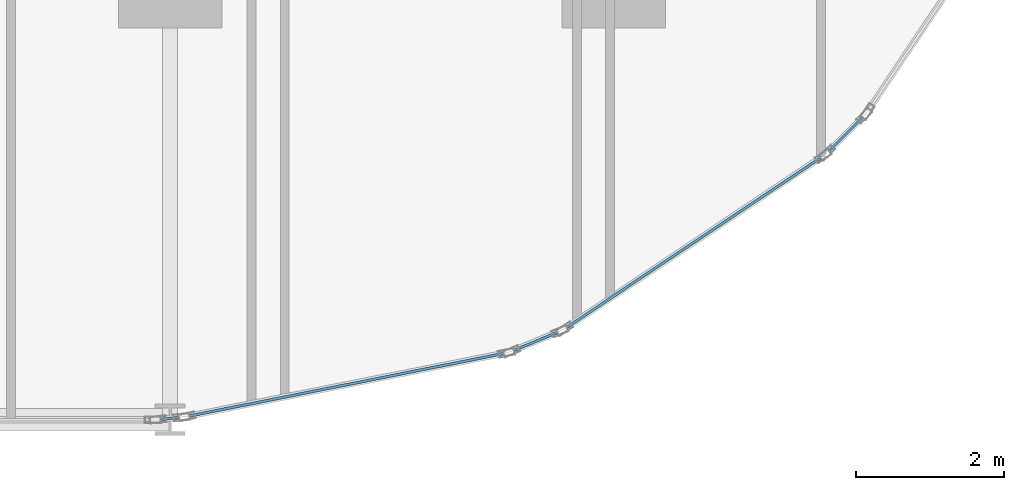
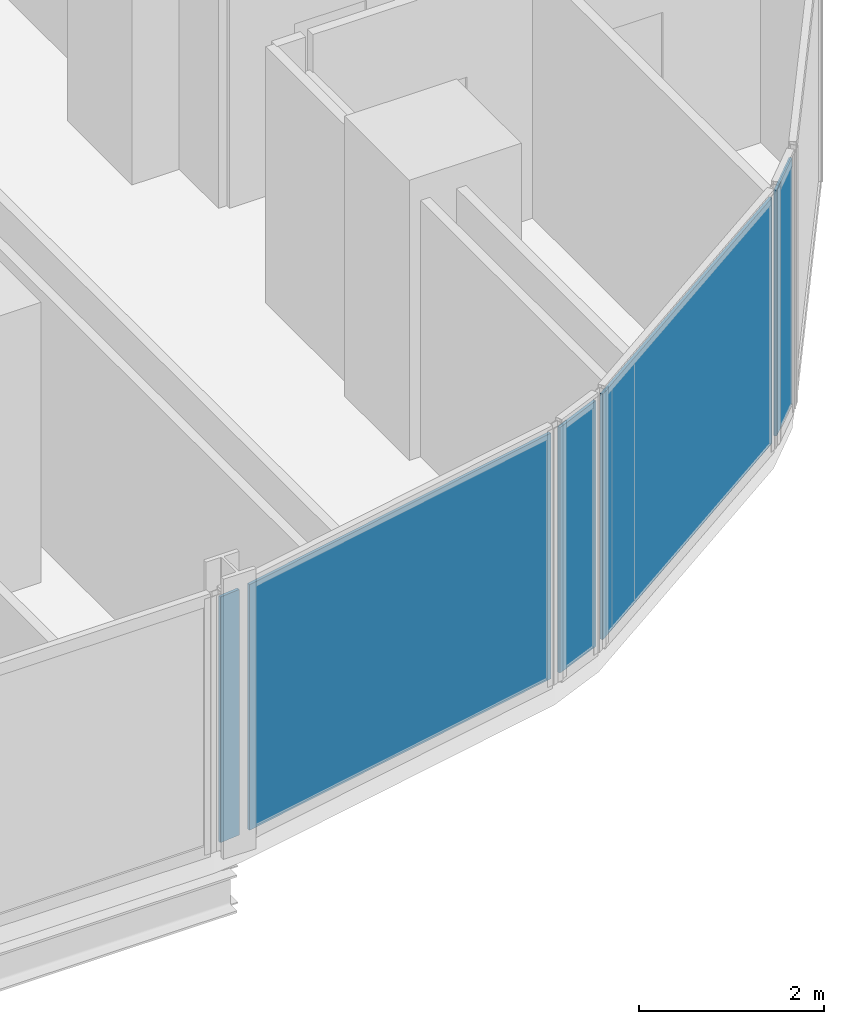
# One storey, part 22 of 34: 5 plates, 5 elements without a shape of their own.
"""IFC4 building model written with IfcOpenShell, lengths in metres."""

from ifc_helpers import new_model, si_unit, direction, frame, origin, origin_2d, place, context, subcontext, project, spatial, rectangle, extrude, material, layer, layer_set, type_object, element, aggregate, save


model = new_model("IFC4")

# Units and contexts
model_context = context("Model", 3, precision=1e-05, world=origin(), true_north=direction((0.0, 1.0)))
body_context = subcontext(model_context, "Body", "Model", "MODEL_VIEW")
ifc_project = project(units=[si_unit("LENGTHUNIT", "METRE"), si_unit("AREAUNIT", "SQUARE_METRE"), si_unit("VOLUMEUNIT", "CUBIC_METRE"), si_unit("PLANEANGLEUNIT", "RADIAN"), si_unit("MASSUNIT", "GRAM", prefix="KILO")], contexts=[model_context])

# Site, building, storey
site_placement = place(None, origin())
site = spatial("IfcSite", under=ifc_project, at=site_placement, CompositionType="ELEMENT")
building_placement = place(site_placement, origin())
building = spatial("IfcBuilding", under=site, at=building_placement, Name="Keshet Zoharim Tower", CompositionType="ELEMENT")
storey_placement = place(building_placement, frame((0.0, 0.0, 38.800048828125)))
storey = spatial("IfcBuildingStorey", under=building, at=storey_placement, Name="L08", CompositionType="ELEMENT", Elevation=38.800048828125)

# Curtain wall, plate
ifc_material_1 = material(Name="Aluminium 6063-T6", Category="aluminium")
ifc_layer_1 = layer(ifc_material_1, 0.179931640625)
ifc_layer_set_1 = layer_set([ifc_layer_1], Name="Aluminium 6063-T6")
curtain_wall_type = type_object("IfcCurtainWallType", Name="CW-SYS-01", PredefinedType="NOTDEFINED", material=ifc_layer_set_1)
curtain_wall_1_placement = place(storey_placement, origin())
curtain_wall_1 = element("IfcCurtainWall", 1, at=curtain_wall_1_placement, inside=storey, type_object=curtain_wall_type, Name="L08 Unitised Curtain Wall 21", PredefinedType="NOTDEFINED")
ifc_material_2 = material(Name="Insulated Low-E Clear Glass", Category="glass")
ifc_layer_2 = layer(ifc_material_2, 0.035888671875)
ifc_layer_set_2 = layer_set([ifc_layer_2], Name="Insulated Low-E Clear Glass")
plate_type = type_object("IfcPlateType", Name="CWP-01", PredefinedType="CURTAIN_PANEL", material=ifc_layer_set_2)
plate_1_placement = place(storey_placement, frame((66.137451171875, 4.5625, 0.06982421875), z_axis=(0.0, 0.0, 1.0), x_axis=(-0.707106781187, -0.707106781187, 0.0)))
plate_1 = element("IfcPlate", 2, at=plate_1_placement, type_object=plate_type, Name="CW-01 panel 1.1", PredefinedType="CURTAIN_PANEL", context=body_context, shape_type="SweptSolid", body=[
    extrude(rectangle(XDim=0.63916015625, YDim=0.035888671875, at=origin_2d()), origin(), (0.0, 0.0, 1.0), 3.2451171875),
])
aggregate(curtain_wall_1, [plate_1])

curtain_wall_2_placement = place(storey_placement, origin())
curtain_wall_2 = element("IfcCurtainWall", 3, at=curtain_wall_2_placement, inside=storey, type_object=curtain_wall_type, Name="L08 Unitised Curtain Wall 22", PredefinedType="NOTDEFINED")
plate_2_placement = place(storey_placement, frame((64.083984375, 3.09912109375, 0.06982421875), z_axis=(0.0, 0.0, 1.0), x_axis=(-0.831474282335, -0.555563243758, 0.0)))
plate_2 = element("IfcPlate", 4, at=plate_2_placement, type_object=plate_type, Name="CW-01 panel 1.1", PredefinedType="CURTAIN_PANEL", context=body_context, shape_type="SweptSolid", body=[
    extrude(rectangle(XDim=4.13671875, YDim=0.035888671875, at=origin_2d()), origin(), (0.0, 0.0, 1.0), 3.2451171875),
])
aggregate(curtain_wall_2, [plate_2])

curtain_wall_3_placement = place(storey_placement, origin())
curtain_wall_3 = element("IfcCurtainWall", 5, at=curtain_wall_3_placement, inside=storey, type_object=curtain_wall_type, Name="L08 Unitised Curtain Wall 23", PredefinedType="NOTDEFINED")
plate_3_placement = place(storey_placement, frame((61.945556640625, 1.761474609375, 0.06982421875), z_axis=(0.0, 0.0, 1.0), x_axis=(-0.923720000557, -0.383068349739, 0.0)))
plate_3 = element("IfcPlate", 6, at=plate_3_placement, type_object=plate_type, Name="CW-01 panel 1.1", PredefinedType="CURTAIN_PANEL", context=body_context, shape_type="SweptSolid", body=[
    extrude(rectangle(XDim=0.640625, YDim=0.035888671875, at=origin_2d()), origin(), (0.0, 0.0, 1.0), 3.2451171875),
])
aggregate(curtain_wall_3, [plate_3])

curtain_wall_4_placement = place(storey_placement, origin())
curtain_wall_4 = element("IfcCurtainWall", 7, at=curtain_wall_4_placement, inside=storey, type_object=curtain_wall_type, Name="L08 Unitised Curtain Wall 24", PredefinedType="NOTDEFINED")
plate_4_placement = place(storey_placement, frame((59.388916015625, 1.175048828125, 0.06982421875), z_axis=(0.0, 0.0, 1.0), x_axis=(-0.98076917357, -0.195171279072, 0.0)))
plate_4 = element("IfcPlate", 8, at=plate_4_placement, type_object=plate_type, Name="CW-01 panel 1.1", PredefinedType="CURTAIN_PANEL", context=body_context, shape_type="SweptSolid", body=[
    extrude(rectangle(XDim=4.338134765625, YDim=0.035888671875, at=origin_2d()), origin(), (0.0, 0.0, 1.0), 3.2451171875),
])
aggregate(curtain_wall_4, [plate_4])

curtain_wall_5_placement = place(storey_placement, origin())
curtain_wall_5 = element("IfcCurtainWall", 9, at=curtain_wall_5_placement, inside=storey, type_object=curtain_wall_type, Name="L08 Unitised Curtain Wall 25", PredefinedType="NOTDEFINED")
plate_5_placement = place(storey_placement, frame((56.998046875, 0.718994140625, 0.06982421875), z_axis=(0.0, 0.0, 1.0), x_axis=(-0.995286657009, -0.096976648633, 0.0)))
plate_5 = element("IfcPlate", 10, at=plate_5_placement, type_object=plate_type, Name="CW-01 panel 1.1", PredefinedType="CURTAIN_PANEL", context=body_context, shape_type="SweptSolid", body=[
    extrude(rectangle(XDim=0.251953125, YDim=0.035888671875, at=origin_2d()), origin(), (0.0, 0.0, 1.0), 3.2451171875),
])
aggregate(curtain_wall_5, [plate_5])

save(model, "model.ifc")
